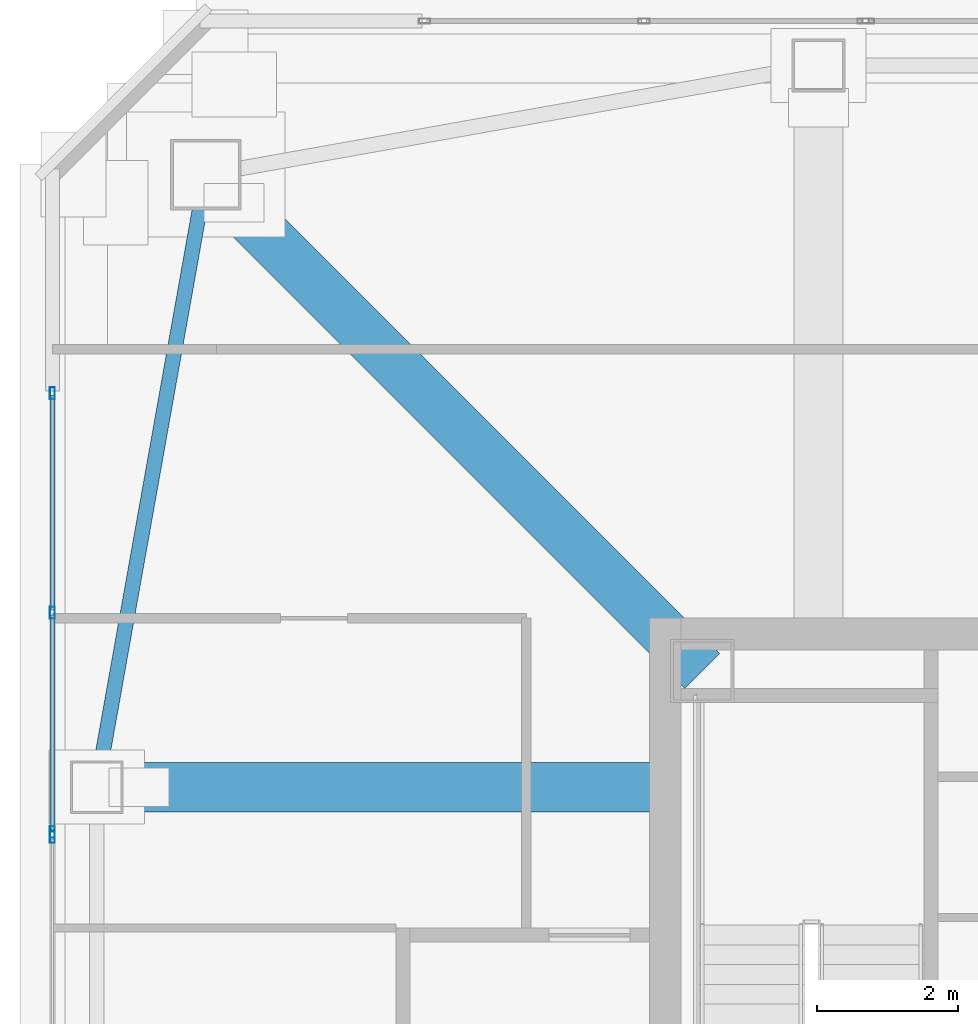
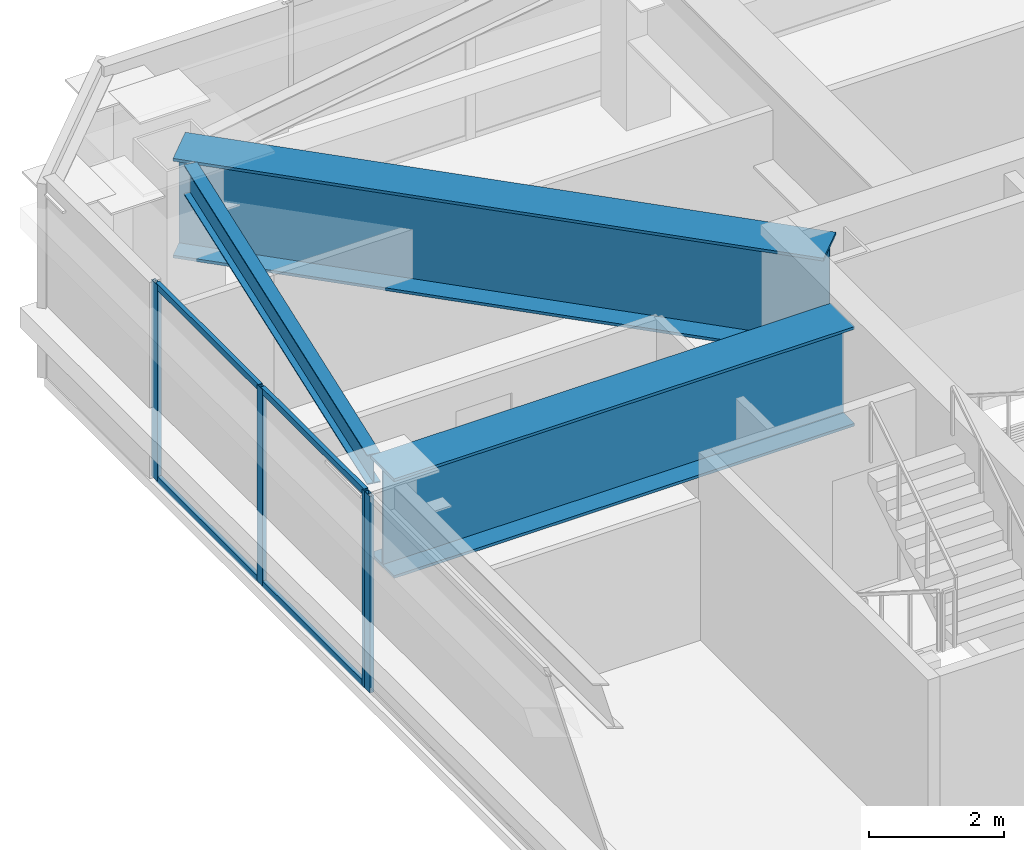
# One storey, part 8 of 40: 8 members, 3 beams, 2 elements without a shape of their own.
"""IFC4 building model written with IfcOpenShell, lengths in metres."""

from ifc_helpers import new_model, si_unit, direction, frame, origin, origin_2d, place, context, subcontext, project, spatial, hollow_rectangle, i_section, extrude, material, material_profile, profile_set, type_object, element, aggregate, save


model = new_model("IFC4")

# Units and contexts
model_context = context("Model", 3, precision=1e-05, world=origin(), true_north=direction((0.0, 1.0)))
body_context = subcontext(model_context, "Body", "Model", "MODEL_VIEW")
ifc_project = project(units=[si_unit("LENGTHUNIT", "METRE"), si_unit("AREAUNIT", "SQUARE_METRE"), si_unit("VOLUMEUNIT", "CUBIC_METRE"), si_unit("PLANEANGLEUNIT", "RADIAN"), si_unit("MASSUNIT", "GRAM", prefix="KILO")], contexts=[model_context])

# Site, building, storey
site_placement = place(None, origin())
site = spatial("IfcSite", under=ifc_project, at=site_placement, CompositionType="ELEMENT")
building_placement = place(site_placement, origin())
building = spatial("IfcBuilding", under=site, at=building_placement, Name="Tashvorn Skyway Center", CompositionType="ELEMENT")
storey_placement = place(building_placement, frame((0.0, 0.0, 229.050048828125)))
storey = spatial("IfcBuildingStorey", under=building, at=storey_placement, Name="L62", CompositionType="ELEMENT", Elevation=229.050048828125)

# Beams
ifc_material_1 = material(Name="Steel ASTM A572 Grade 50", Category="steel")
ifc_material_profile_1 = material_profile(ifc_material_1, i_section(OverallWidth=0.699951171875, OverallDepth=1.800048828125, WebThickness=0.031982421875, FlangeThickness=0.050048828125, at=origin_2d()), Name="PG1800x700")
ifc_profile_set_1 = profile_set([ifc_material_profile_1], Name="Steel ASTM A572 Grade 50")
beam_type_1 = type_object("IfcBeamType", Name="BM-BEAM-PG1800x700", PredefinedType="BEAM", material=ifc_profile_set_1)
beam_1_placement = place(storey_placement, frame((27.89990234375, 46.10009765625, 2.469970703125), z_axis=(0.707106781187, -0.707106781187, 0.0), x_axis=(0.707106781187, 0.707106781187, 0.0)))
element("IfcBeam", 1, at=beam_1_placement, inside=storey, type_object=beam_type_1, Name="Tower 1 L62 Setback Transfer Girder MC-NW", PredefinedType="BEAM", context=body_context, shape_type="SweptSolid", body=[
    extrude(i_section(OverallWidth=0.699951171875, OverallDepth=1.800048828125, WebThickness=0.031982421875, FlangeThickness=0.050048828125, at=origin_2d()), origin(), (0.0, 0.0, 1.0), 9.97021484375),
])
beam_2_placement = place(storey_placement, frame((26.35009765625, 37.39990234375, 2.469970703125), z_axis=(1.0, 0.0, 0.0), x_axis=(0.0, 1.0, 0.0)))
element("IfcBeam", 2, at=beam_2_placement, inside=storey, type_object=beam_type_1, Name="Tower 1 L62 Setback Transfer Girder FC-W1", PredefinedType="BEAM", context=body_context, shape_type="SweptSolid", body=[
    extrude(i_section(OverallWidth=0.699951171875, OverallDepth=1.800048828125, WebThickness=0.031982421875, FlangeThickness=0.050048828125, at=origin_2d()), origin(), (0.0, 0.0, 1.0), 7.869873046875),
])
ifc_material_2 = material(Name="Steel ASTM A992 Grade 50", Category="steel")
ifc_material_profile_2 = material_profile(ifc_material_2, i_section(OverallWidth=0.2109375, OverallDepth=0.5390625, WebThickness=0.01171875, FlangeThickness=0.018798828125, at=origin_2d()), Name="W21X73")
ifc_profile_set_2 = profile_set([ifc_material_profile_2], Name="Steel ASTM A992 Grade 50")
beam_type_2 = type_object("IfcBeamType", Name="BM-SPANDREL-W21X73", PredefinedType="SPANDREL", material=ifc_profile_set_2)
beam_3_placement = place(storey_placement, frame((27.813232421875, 45.61279296875, 3.100341796875), z_axis=(-0.17541329759, -0.984494883191, 0.0), x_axis=(0.984494883191, -0.17541329759, 0.0)))
element("IfcBeam", 3, at=beam_3_placement, inside=storey, type_object=beam_type_2, Name="Tower 1 L62 Spandrel Beam 10", PredefinedType="SPANDREL", context=body_context, shape_type="SweptSolid", body=[
    extrude(i_section(OverallWidth=0.2109375, OverallDepth=0.5390625, WebThickness=0.01171875, FlangeThickness=0.018798828125, at=origin_2d()), origin(), (0.0, 0.0, 1.0), 7.97216796875),
])

# Curtain wall, member
ifc_material_3 = material(Name="Thermally broken bronze-anodized aluminium 6063-T6", Category="aluminium")
curtain_wall_type = type_object("IfcCurtainWallType", Name="CW-CW-Z5", PredefinedType="NOTDEFINED", material=ifc_material_3)
curtain_wall_1_placement = place(storey_placement, origin())
curtain_wall_1 = element("IfcCurtainWall", 4, at=curtain_wall_1_placement, inside=storey, type_object=curtain_wall_type, Name="Tower 1 L62 West Unitised Curtain Wall Glazing Group 2", PredefinedType="NOTDEFINED")
ifc_material_profile_3 = material_profile(ifc_material_3, hollow_rectangle(XDim=0.070068359375, YDim=0.1650390625, WallThickness=0.00390625, at=origin_2d()), Name="ALU-MULL-70x165")
ifc_profile_set_3 = profile_set([ifc_material_profile_3], Name="Thermally broken bronze-anodized aluminium 6063-T6")
member_type_1 = type_object("IfcMemberType", Name="CWM-CW-Z5", PredefinedType="MULLION", material=ifc_profile_set_3)
member_1_placement = place(storey_placement, frame((25.719970703125, 36.691650390625, 0.0), z_axis=(0.0, 0.0, 1.0), x_axis=(-1.0, 0.0, 0.0)))
member_1 = element("IfcMember", 5, at=member_1_placement, type_object=member_type_1, Name="CW-Z5 mullion 2", PredefinedType="MULLION", context=body_context, shape_type="SweptSolid", body=[
    extrude(hollow_rectangle(XDim=0.070068359375, YDim=0.1650390625, WallThickness=0.00390625, at=origin_2d()), origin(), (0.0, 0.0, 1.0), 3.550048828125),
])
aggregate(curtain_wall_1, [member_1])

# Curtain wall, members
curtain_wall_2_placement = place(storey_placement, origin())
curtain_wall_2 = element("IfcCurtainWall", 6, at=curtain_wall_2_placement, inside=storey, type_object=curtain_wall_type, Name="Tower 1 L62 West Unitised Curtain Wall Glazing Group 3", PredefinedType="NOTDEFINED")
member_2_placement = place(storey_placement, frame((25.719970703125, 36.76171875, 0.0), z_axis=(0.0, 0.0, 1.0), x_axis=(-1.0, 0.0, 0.0)))
member_2 = element("IfcMember", 7, at=member_2_placement, type_object=member_type_1, Name="CW-Z5 mullion 1", PredefinedType="MULLION", context=body_context, shape_type="SweptSolid", body=[
    extrude(hollow_rectangle(XDim=0.070068359375, YDim=0.1650390625, WallThickness=0.00390625, at=origin_2d()), origin(), (0.0, 0.0, 1.0), 3.550048828125),
])
member_3_placement = place(storey_placement, frame((25.719970703125, 39.877685546875, 0.0), z_axis=(0.0, 0.0, 1.0), x_axis=(-1.0, 0.0, 0.0)))
member_3 = element("IfcMember", 8, at=member_3_placement, type_object=member_type_1, Name="CW-Z5 mullion 2", PredefinedType="MULLION", context=body_context, shape_type="SweptSolid", body=[
    extrude(hollow_rectangle(XDim=0.070068359375, YDim=0.1650390625, WallThickness=0.00390625, at=origin_2d()), origin(), (0.0, 0.0, 1.0), 3.550048828125),
])
member_4_placement = place(storey_placement, frame((25.719970703125, 42.993896484375, 0.0), z_axis=(0.0, 0.0, 1.0), x_axis=(-1.0, 0.0, 0.0)))
member_4 = element("IfcMember", 9, at=member_4_placement, type_object=member_type_1, Name="CW-Z5 mullion 3", PredefinedType="MULLION", context=body_context, shape_type="SweptSolid", body=[
    extrude(hollow_rectangle(XDim=0.070068359375, YDim=0.1650390625, WallThickness=0.00390625, at=origin_2d()), origin(), (0.0, 0.0, 1.0), 3.550048828125),
])
ifc_material_profile_4 = material_profile(ifc_material_3, hollow_rectangle(XDim=0.070068359375, YDim=0.114990234375, WallThickness=0.00390625, at=origin_2d()), Name="ALU-TRAN-70x115")
ifc_profile_set_4 = profile_set([ifc_material_profile_4], Name="Thermally broken bronze-anodized aluminium 6063-T6")
member_type_2 = type_object("IfcMemberType", Name="CWT-CW-Z5", PredefinedType="USERDEFINED", material=ifc_profile_set_4)
member_5_placement = place(storey_placement, frame((25.719970703125, 36.796630859375, 0.034912109375), z_axis=(0.0, 1.0, 0.0), x_axis=(-1.0, 0.0, 0.0)))
member_5 = element("IfcMember", 10, at=member_5_placement, type_object=member_type_2, Name="CW-Z5 transom 1.1", ObjectType="TRANSOM", PredefinedType="USERDEFINED", context=body_context, shape_type="SweptSolid", body=[
    extrude(hollow_rectangle(XDim=0.070068359375, YDim=0.114990234375, WallThickness=0.00390625, at=origin_2d()), origin(), (0.0, 0.0, 1.0), 3.046142578125),
])
member_6_placement = place(storey_placement, frame((25.719970703125, 36.796630859375, 3.514892578125), z_axis=(0.0, 1.0, 0.0), x_axis=(-1.0, 0.0, 0.0)))
member_6 = element("IfcMember", 11, at=member_6_placement, type_object=member_type_2, Name="CW-Z5 transom 1.2", ObjectType="TRANSOM", PredefinedType="USERDEFINED", context=body_context, shape_type="SweptSolid", body=[
    extrude(hollow_rectangle(XDim=0.070068359375, YDim=0.114990234375, WallThickness=0.00390625, at=origin_2d()), origin(), (0.0, 0.0, 1.0), 3.046142578125),
])
member_7_placement = place(storey_placement, frame((25.719970703125, 39.912841796875, 0.034912109375), z_axis=(0.0, 1.0, 0.0), x_axis=(-1.0, 0.0, 0.0)))
member_7 = element("IfcMember", 12, at=member_7_placement, type_object=member_type_2, Name="CW-Z5 transom 2.1", ObjectType="TRANSOM", PredefinedType="USERDEFINED", context=body_context, shape_type="SweptSolid", body=[
    extrude(hollow_rectangle(XDim=0.070068359375, YDim=0.114990234375, WallThickness=0.00390625, at=origin_2d()), origin(), (0.0, 0.0, 1.0), 3.046142578125),
])
member_8_placement = place(storey_placement, frame((25.719970703125, 39.912841796875, 3.514892578125), z_axis=(0.0, 1.0, 0.0), x_axis=(-1.0, 0.0, 0.0)))
member_8 = element("IfcMember", 13, at=member_8_placement, type_object=member_type_2, Name="CW-Z5 transom 2.2", ObjectType="TRANSOM", PredefinedType="USERDEFINED", context=body_context, shape_type="SweptSolid", body=[
    extrude(hollow_rectangle(XDim=0.070068359375, YDim=0.114990234375, WallThickness=0.00390625, at=origin_2d()), origin(), (0.0, 0.0, 1.0), 3.046142578125),
])
aggregate(curtain_wall_2, [member_2, member_3, member_4, member_5, member_6, member_7, member_8])

save(model, "model.ifc")
